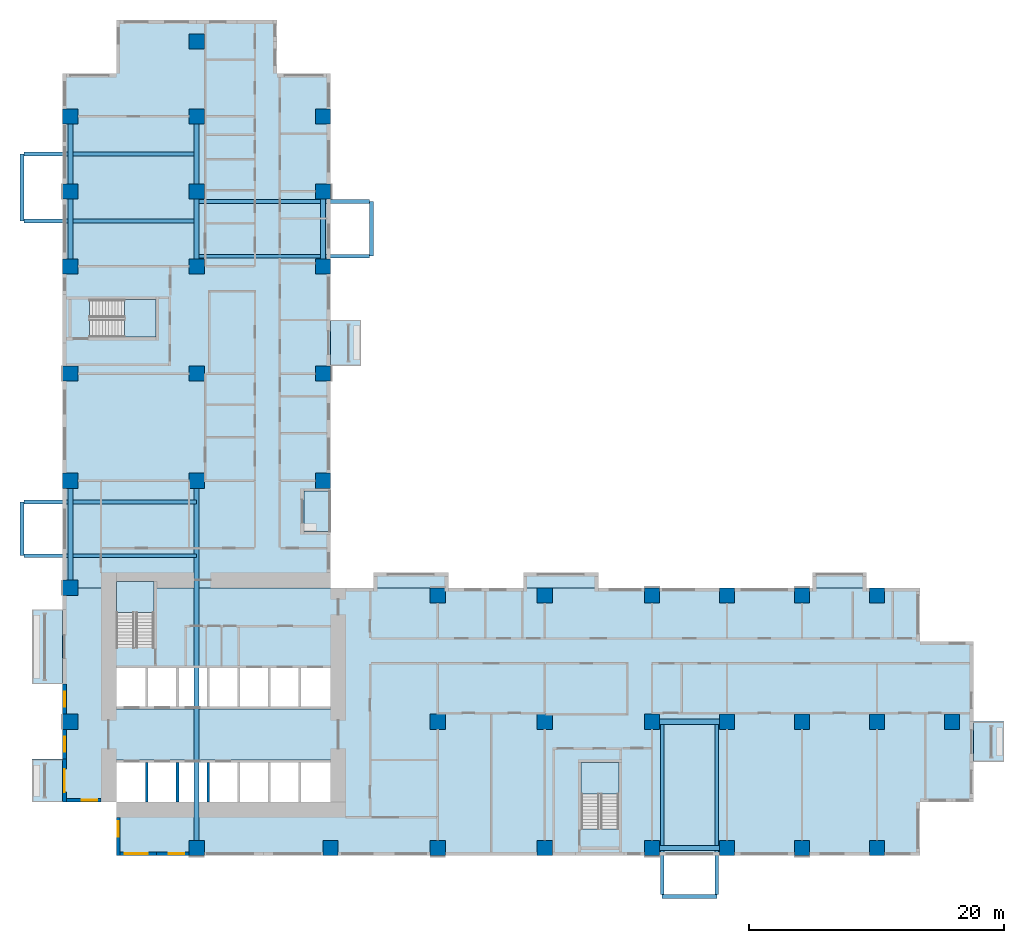
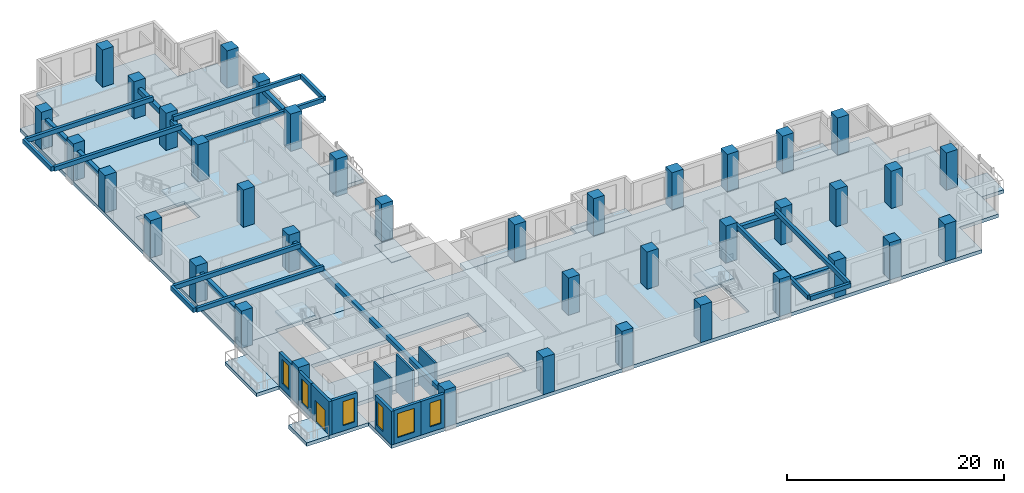
# One storey, part 1 of 14: 39 columns, 21 beams, 13 slabs, 10 walls, 6 windows, 1 door, 7 openings, 3 elements without a shape of their own.
"""IFC4 building model written with IfcOpenShell, lengths in metres."""

from ifc_helpers import new_model, si_unit, direction, frame, frame_2d, origin, origin_2d, place, context, subcontext, project, spatial, polyline, rectangle, outline, extrude, source, transform, mapped, material, layer, layer_set, material_profile, profile_set, type_object, element, fill, aggregate, save


model = new_model("IFC4")

# Units and contexts
model_context = context("Model", 3, precision=1e-05, world=origin(), true_north=direction((0.0, 1.0)))
body_context = subcontext(model_context, "Body", "Model", "MODEL_VIEW")
ifc_project = project(units=[si_unit("LENGTHUNIT", "METRE"), si_unit("AREAUNIT", "SQUARE_METRE"), si_unit("VOLUMEUNIT", "CUBIC_METRE"), si_unit("PLANEANGLEUNIT", "RADIAN"), si_unit("MASSUNIT", "GRAM", prefix="KILO")], contexts=[model_context])

# Site, building, storey
site_placement = place(None, origin())
site = spatial("IfcSite", under=ifc_project, at=site_placement, CompositionType="ELEMENT")
building_placement = place(site_placement, origin())
building = spatial("IfcBuilding", under=site, at=building_placement, Name="Aurelian Terraces", CompositionType="ELEMENT")
storey_placement = place(building_placement, frame((0.0, 0.0, 40.5)))
storey = spatial("IfcBuildingStorey", under=building, at=storey_placement, Name="L07", CompositionType="ELEMENT", Elevation=40.5)

# Columns
ifc_material_1 = material(Name="Concrete fc' 83 MPa", Category="concrete")
ifc_material_profile_1 = material_profile(ifc_material_1, rectangle(XDim=1.2, YDim=1.2, at=origin_2d()))
ifc_profile_set_1 = profile_set([ifc_material_profile_1], Name="Concrete fc' 83 MPa")
column_type = type_object("IfcColumnType", Name="RC COLUMN 1200X1200 FC83", PredefinedType="COLUMN", material=ifc_profile_set_1)
column_placement = place(storey_placement, frame((10.5, 0.6, 0.0), z_axis=(0.0, 0.0, 1.0), x_axis=(1.0, 0.0, 0.0)))
element("IfcColumn", 1, at=column_placement, inside=storey, type_object=column_type, Name="Column 2/A L07", PredefinedType="COLUMN", context=body_context, shape_type="SweptSolid", body=[
    extrude(rectangle(XDim=1.2, YDim=1.2, at=origin_2d()), origin(), (0.0, 0.0, 1.0), 4.2),
])
shared_shape_1 = source(origin(), body_context, "Body", "SweptSolid", [
    extrude(rectangle(XDim=1.2, YDim=1.2, at=origin_2d()), origin(), (0.0, 0.0, 1.0), 4.2),
])
for number, where, z_axis, x_axis, name in (
    (2, (21.0, 0.6, 0.0), (0.0, 0.0, 1.0), (1.0, 0.0, 0.0), "Column 3/A L07"),
    (3, (29.4, 0.6, 0.0), (0.0, 0.0, 1.0), (1.0, 0.0, 0.0), "Column 4/A L07"),
    (4, (37.8, 0.6, 0.0), (0.0, 0.0, 1.0), (1.0, 0.0, 0.0), "Column 5/A L07"),
    (5, (46.2, 0.6, 0.0), (0.0, 0.0, 1.0), (1.0, 0.0, 0.0), "Column 6/A L07"),
    (6, (52.08, 0.6, 0.0), (0.0, 0.0, 1.0), (1.0, 0.0, 0.0), "Column 7/A L07"),
    (7, (57.96, 0.6, 0.0), (0.0, 0.0, 1.0), (1.0, 0.0, 0.0), "Column 8/A L07"),
    (8, (63.84, 0.6, 0.0), (0.0, 0.0, 1.0), (1.0, 0.0, 0.0), "Column 9/A L07"),
    (9, (0.6, 10.5, 0.0), (0.0, 0.0, 1.0), (1.0, 0.0, 0.0), "Column 1/B L07"),
    (10, (29.4, 10.5, 0.0), (0.0, 0.0, 1.0), (1.0, 0.0, 0.0), "Column 4/B L07"),
    (11, (37.8, 10.5, 0.0), (0.0, 0.0, 1.0), (1.0, 0.0, 0.0), "Column 5/B L07"),
    (12, (46.2, 10.5, 0.0), (0.0, 0.0, 1.0), (1.0, 0.0, 0.0), "Column 6/B L07"),
    (13, (52.08, 10.5, 0.0), (0.0, 0.0, 1.0), (1.0, 0.0, 0.0), "Column 7/B L07"),
    (14, (57.96, 10.5, 0.0), (0.0, 0.0, 1.0), (1.0, 0.0, 0.0), "Column 8/B L07"),
    (15, (63.84, 10.5, 0.0), (0.0, 0.0, 1.0), (1.0, 0.0, 0.0), "Column 9/B L07"),
    (16, (69.72, 10.5, 0.0), (0.0, 0.0, 1.0), (1.0, 0.0, 0.0), "Column 10/B L07"),
    (17, (0.6, 21.0, 0.0), (0.0, 0.0, 1.0), (1.0, 0.0, 0.0), "Column 1/C L07"),
    (18, (29.4, 20.4, 0.0), (0.0, 0.0, 1.0), (1.0, 0.0, 0.0), "Column 4/C L07"),
    (19, (37.8, 20.4, 0.0), (0.0, 0.0, 1.0), (1.0, 0.0, 0.0), "Column 5/C L07"),
    (20, (46.2, 20.4, 0.0), (0.0, 0.0, 1.0), (1.0, 0.0, 0.0), "Column 6/C L07"),
    (21, (52.08, 20.4, 0.0), (0.0, 0.0, 1.0), (1.0, 0.0, 0.0), "Column 7/C L07"),
    (22, (57.96, 20.4, 0.0), (0.0, 0.0, 1.0), (1.0, 0.0, 0.0), "Column 8/C L07"),
    (23, (63.84, 20.4, 0.0), (0.0, 0.0, 1.0), (1.0, 0.0, 0.0), "Column 9/C L07"),
    (24, (0.6, 29.4, 0.0), (0.0, 0.0, 1.0), (1.0, 0.0, 0.0), "Column 1/D L07"),
    (25, (10.5, 29.4, 0.0), (0.0, 0.0, 1.0), (1.0, 0.0, 0.0), "Column 2/D L07"),
    (26, (20.4, 29.4, 0.0), (0.0, 0.0, 1.0), (1.0, 0.0, 0.0), "Column 3/D L07"),
    (27, (0.6, 37.8, 0.0), (0.0, 0.0, 1.0), (1.0, 0.0, 0.0), "Column 1/E L07"),
    (28, (10.5, 37.8, 0.0), (0.0, 0.0, 1.0), (1.0, 0.0, 0.0), "Column 2/E L07"),
    (29, (20.4, 37.8, 0.0), (0.0, 0.0, 1.0), (1.0, 0.0, 0.0), "Column 3/E L07"),
    (30, (0.6, 46.2, 0.0), (0.0, 0.0, 1.0), (1.0, 0.0, 0.0), "Column 1/F L07"),
    (31, (10.5, 46.2, 0.0), (0.0, 0.0, 1.0), (1.0, 0.0, 0.0), "Column 2/F L07"),
    (32, (20.4, 46.2, 0.0), (0.0, 0.0, 1.0), (1.0, 0.0, 0.0), "Column 3/F L07"),
    (33, (0.6, 52.08, 0.0), (0.0, 0.0, 1.0), (1.0, 0.0, 0.0), "Column 1/G L07"),
    (34, (10.5, 52.08, 0.0), (0.0, 0.0, 1.0), (1.0, 0.0, 0.0), "Column 2/G L07"),
    (35, (20.4, 52.08, 0.0), (0.0, 0.0, 1.0), (1.0, 0.0, 0.0), "Column 3/G L07"),
    (36, (0.6, 57.96, 0.0), (0.0, 0.0, 1.0), (1.0, 0.0, 0.0), "Column 1/H L07"),
    (37, (10.5, 57.96, 0.0), (0.0, 0.0, 1.0), (1.0, 0.0, 0.0), "Column 2/H L07"),
    (38, (20.4, 57.96, 0.0), (0.0, 0.0, 1.0), (1.0, 0.0, 0.0), "Column 3/H L07"),
    (39, (10.5, 63.84, 0.0), (0.0, 0.0, 1.0), (1.0, 0.0, 0.0), "Column 2/I L07"),
):
    element("IfcColumn", number, at=place(storey_placement, frame(where, z_axis=z_axis, x_axis=x_axis)), inside=storey, type_object=column_type, Name=name, PredefinedType="COLUMN", context=body_context, shape_type="MappedRepresentation", body=[
        mapped(shared_shape_1, transform((0.0, 0.0, 0.0), scale=1.0)),
    ])

# Beams
ifc_material_2 = material(Name="Concrete fc' 40 MPa", Category="concrete")
ifc_material_profile_2 = material_profile(ifc_material_2, rectangle(XDim=0.3, YDim=0.5, at=origin_2d()))
ifc_profile_set_2 = profile_set([ifc_material_profile_2], Name="Concrete fc' 40 MPa")
beam_type_1 = type_object("IfcBeamType", Name="CONCRETE CANTILEVER BEAM 300X500", PredefinedType="BEAM", material=ifc_profile_set_2)
beam_1_placement = place(storey_placement, frame((47.0, -3.05, 3.55), z_axis=(0.0, 1.0, 0.0), x_axis=(-1.0, 0.0, 0.0)))
element("IfcBeam", 40, at=beam_1_placement, inside=storey, type_object=beam_type_1, Name="Box cantilever beam J01.1", PredefinedType="BEAM", context=body_context, shape_type="SweptSolid", body=[
    extrude(rectangle(XDim=0.3, YDim=0.5, at=origin_2d()), origin(), (0.0, 0.0, 1.0), 13.55),
])
beam_2_placement = place(storey_placement, frame((47.0, -3.2, 3.55), z_axis=(1.0, 0.0, 0.0), x_axis=(0.0, 1.0, 0.0)))
element("IfcBeam", 41, at=beam_2_placement, inside=storey, type_object=beam_type_1, Name="Box tip beam J01", PredefinedType="BEAM", context=body_context, shape_type="SweptSolid", body=[
    extrude(rectangle(XDim=0.3, YDim=0.5, at=origin_2d()), origin(), (0.0, 0.0, 1.0), 4.28),
])
beam_3_placement = place(storey_placement, frame((-3.2, 23.52, 3.55), z_axis=(0.0, 1.0, 0.0), x_axis=(-1.0, 0.0, 0.0)))
element("IfcBeam", 42, at=beam_3_placement, inside=storey, type_object=beam_type_1, Name="Box tip beam J03", PredefinedType="BEAM", context=body_context, shape_type="SweptSolid", body=[
    extrude(rectangle(XDim=0.3, YDim=0.5, at=origin_2d()), origin(), (0.0, 0.0, 1.0), 4.2),
])
beam_4_placement = place(storey_placement, frame((-3.2, 49.77, 3.55), z_axis=(0.0, 1.0, 0.0), x_axis=(-1.0, 0.0, 0.0)))
element("IfcBeam", 43, at=beam_4_placement, inside=storey, type_object=beam_type_1, Name="Box tip beam J04", PredefinedType="BEAM", context=body_context, shape_type="SweptSolid", body=[
    extrude(rectangle(XDim=0.3, YDim=0.5, at=origin_2d()), origin(), (0.0, 0.0, 1.0), 5.25),
])
ifc_material_profile_3 = material_profile(ifc_material_2, rectangle(XDim=0.4, YDim=0.5, at=origin_2d()))
ifc_profile_set_3 = profile_set([ifc_material_profile_3], Name="Concrete fc' 40 MPa")
beam_type_2 = type_object("IfcBeamType", Name="CONCRETE EDGE GIRDER 400X500", PredefinedType="BEAM", material=ifc_profile_set_3)
beam_5_placement = place(storey_placement, frame((46.8, 0.6, 3.05), z_axis=(1.0, 0.0, 0.0), x_axis=(0.0, 1.0, 0.0)))
element("IfcBeam", 44, at=beam_5_placement, inside=storey, type_object=beam_type_2, Name="Box girder L07 O1", PredefinedType="BEAM", context=body_context, shape_type="SweptSolid", body=[
    extrude(rectangle(XDim=0.4, YDim=0.5, at=origin_2d()), origin(), (0.0, 0.0, 1.0), 4.68),
])
beam_6_placement = place(storey_placement, frame((0.6, 21.6, 3.05), z_axis=(0.0, 1.0, 0.0), x_axis=(-1.0, 0.0, 0.0)))
element("IfcBeam", 45, at=beam_6_placement, inside=storey, type_object=beam_type_2, Name="Box girder L07 O5", PredefinedType="BEAM", context=body_context, shape_type="SweptSolid", body=[
    extrude(rectangle(XDim=0.4, YDim=0.5, at=origin_2d()), origin(), (0.0, 0.0, 1.0), 7.2),
])
beam_7_placement = place(storey_placement, frame((10.5, 1.2, 3.05), z_axis=(0.0, 1.0, 0.0), x_axis=(-1.0, 0.0, 0.0)))
element("IfcBeam", 46, at=beam_7_placement, inside=storey, type_object=beam_type_2, Name="Box girder L07 I6", PredefinedType="BEAM", context=body_context, shape_type="SweptSolid", body=[
    extrude(rectangle(XDim=0.4, YDim=0.5, at=origin_2d()), origin(), (0.0, 0.0, 1.0), 27.6),
])
shared_shape_2 = source(origin(), body_context, "Body", "SweptSolid", [
    extrude(rectangle(XDim=0.4, YDim=0.5, at=origin_2d()), origin(), (0.0, 0.0, 1.0), 4.68),
])
for number, where, z_axis, x_axis, name in (
    (47, (46.8, 10.5, 3.05), (1.0, 0.0, 0.0), (0.0, 1.0, 0.0), "Box girder L07 I2"),
    (48, (20.4, 46.8, 3.05), (0.0, 1.0, 0.0), (-1.0, 0.0, 0.0), "Box girder L07 O3"),
    (49, (10.5, 46.8, 3.05), (0.0, 1.0, 0.0), (-1.0, 0.0, 0.0), "Box girder L07 I4"),
    (50, (0.6, 46.8, 3.05), (0.0, 1.0, 0.0), (-1.0, 0.0, 0.0), "Box girder L07 O7"),
    (51, (0.6, 52.68, 3.05), (0.0, 1.0, 0.0), (-1.0, 0.0, 0.0), "Box girder L07 O8"),
    (52, (10.5, 52.68, 3.05), (0.0, 1.0, 0.0), (-1.0, 0.0, 0.0), "Box girder L07 I9"),
):
    element("IfcBeam", number, at=place(storey_placement, frame(where, z_axis=z_axis, x_axis=x_axis)), inside=storey, type_object=beam_type_2, Name=name, PredefinedType="BEAM", context=body_context, shape_type="MappedRepresentation", body=[
        mapped(shared_shape_2, transform((0.0, 0.0, 0.0), scale=1.0)),
    ])
shared_shape_3 = source(origin(), body_context, "Body", "SweptSolid", [
    extrude(rectangle(XDim=0.3, YDim=0.5, at=origin_2d()), origin(), (0.0, 0.0, 1.0), 13.55),
])
for number, where, z_axis, x_axis, name in (
    (53, (51.28, -3.05, 3.55), (0.0, 1.0, 0.0), (-1.0, 0.0, 0.0), "Box cantilever beam J01.2"),
    (54, (24.05, 47.0, 3.55), (-1.0, 0.0, 0.0), (0.0, -1.0, 0.0), "Box cantilever beam J02.1"),
    (55, (24.05, 51.28, 3.55), (-1.0, 0.0, 0.0), (0.0, -1.0, 0.0), "Box cantilever beam J02.2"),
    (56, (-3.05, 23.52, 3.55), (1.0, 0.0, 0.0), (0.0, 1.0, 0.0), "Box cantilever beam J03.1"),
    (57, (-3.05, 27.72, 3.55), (1.0, 0.0, 0.0), (0.0, 1.0, 0.0), "Box cantilever beam J03.2"),
    (58, (-3.05, 49.77, 3.55), (1.0, 0.0, 0.0), (0.0, 1.0, 0.0), "Box cantilever beam J04.1"),
    (59, (-3.05, 55.02, 3.55), (1.0, 0.0, 0.0), (0.0, 1.0, 0.0), "Box cantilever beam J04.2"),
):
    element("IfcBeam", number, at=place(storey_placement, frame(where, z_axis=z_axis, x_axis=x_axis)), inside=storey, type_object=beam_type_1, Name=name, PredefinedType="BEAM", context=body_context, shape_type="MappedRepresentation", body=[
        mapped(shared_shape_3, transform((0.0, 0.0, 0.0), scale=1.0)),
    ])
shared_shape_4 = source(origin(), body_context, "Body", "SweptSolid", [
    extrude(rectangle(XDim=0.3, YDim=0.5, at=origin_2d()), origin(), (0.0, 0.0, 1.0), 4.28),
])
beam_8_placement = place(storey_placement, frame((24.2, 47.0, 3.55), z_axis=(0.0, 1.0, 0.0), x_axis=(-1.0, 0.0, 0.0)))
element("IfcBeam", 60, at=beam_8_placement, inside=storey, type_object=beam_type_1, Name="Box tip beam J02", PredefinedType="BEAM", context=body_context, shape_type="MappedRepresentation", body=[
    mapped(shared_shape_4, transform((0.0, 0.0, 0.0), scale=1.0)),
])

# Slabs
ifc_layer_1 = layer(ifc_material_2, 0.4)
ifc_layer_set_1 = layer_set([ifc_layer_1], Name="Balcony slab 400")
slab_type_1 = type_object("IfcSlabType", Name="Balcony slab 400", PredefinedType="NOTDEFINED", material=ifc_layer_set_1)
slab_1_placement = place(storey_placement, frame((0.0, 0.0, -0.4)))
element("IfcSlab", 61, at=slab_1_placement, inside=storey, type_object=slab_type_1, Name="Balcony slab L07 F04.16", PredefinedType="NOTDEFINED", context=body_context, shape_type="SweptSolid", body=[
    extrude(outline(polyline([(71.4, 7.35), (71.4, 10.5), (73.8, 10.5), (73.8, 7.35), (71.4, 7.35)])), origin(), (0.0, 0.0, 1.0), 0.4),
])
slab_2_placement = place(storey_placement, frame((0.0, 0.0, -0.4)))
element("IfcSlab", 62, at=slab_2_placement, inside=storey, type_object=slab_type_1, Name="Balcony slab L07 F08.31", PredefinedType="NOTDEFINED", context=body_context, shape_type="SweptSolid", body=[
    extrude(outline(polyline([(21.0, 38.4), (21.0, 42.0), (23.4, 42.0), (23.4, 38.4), (21.0, 38.4)])), origin(), (0.0, 0.0, 1.0), 0.4),
])
slab_3_placement = place(storey_placement, frame((0.0, 0.0, -0.4)))
element("IfcSlab", 63, at=slab_3_placement, inside=storey, type_object=slab_type_1, Name="Balcony slab L07 F14.45", PredefinedType="NOTDEFINED", context=body_context, shape_type="SweptSolid", body=[
    extrude(outline(polyline([(0.0, 19.32), (0.0, 13.44), (-2.4, 13.44), (-2.4, 19.32), (0.0, 19.32)])), origin(), (0.0, 0.0, 1.0), 0.4),
])
slab_4_placement = place(storey_placement, frame((0.0, 0.0, -0.4)))
element("IfcSlab", 64, at=slab_4_placement, inside=storey, type_object=slab_type_1, Name="Balcony slab L07 F14.47", PredefinedType="NOTDEFINED", context=body_context, shape_type="SweptSolid", body=[
    extrude(outline(polyline([(0.0, 7.56), (0.0, 4.2), (-2.4, 4.2), (-2.4, 7.56), (0.0, 7.56)])), origin(), (0.0, 0.0, 1.0), 0.4),
])
ifc_layer_2 = layer(ifc_material_2, 0.4)
ifc_layer_set_2 = layer_set([ifc_layer_2], Name="Bay floor 400")
slab_type_2 = type_object("IfcSlabType", Name="Bay floor 400", PredefinedType="NOTDEFINED", material=ifc_layer_set_2)
slab_5_placement = place(storey_placement, frame((0.0, 0.0, -0.4)))
element("IfcSlab", 65, at=slab_5_placement, inside=storey, type_object=slab_type_2, Name="Bay floor L07 F07.21", PredefinedType="NOTDEFINED", context=body_context, shape_type="SweptSolid", body=[
    extrude(outline(polyline([(63.0, 21.0), (58.8, 21.0), (58.8, 22.2), (63.0, 22.2), (63.0, 21.0)])), origin(), (0.0, 0.0, 1.0), 0.4),
])
slab_6_placement = place(storey_placement, frame((0.0, 0.0, -0.4)))
element("IfcSlab", 66, at=slab_6_placement, inside=storey, type_object=slab_type_2, Name="Bay floor L07 F07.24", PredefinedType="NOTDEFINED", context=body_context, shape_type="SweptSolid", body=[
    extrude(outline(polyline([(42.0, 21.0), (36.12, 21.0), (36.12, 22.2), (42.0, 22.2), (42.0, 21.0)])), origin(), (0.0, 0.0, 1.0), 0.4),
])
slab_7_placement = place(storey_placement, frame((0.0, 0.0, -0.4)))
element("IfcSlab", 67, at=slab_7_placement, inside=storey, type_object=slab_type_2, Name="Bay floor L07 F07.26", PredefinedType="NOTDEFINED", context=body_context, shape_type="SweptSolid", body=[
    extrude(outline(polyline([(30.24, 21.0), (24.36, 21.0), (24.36, 22.2), (30.24, 22.2), (30.24, 21.0)])), origin(), (0.0, 0.0, 1.0), 0.4),
])
ifc_material_3 = material(Name="Granite paving", Category="masonry")
ifc_layer_3 = layer(ifc_material_3, 0.05)
ifc_layer_set_3 = layer_set([ifc_layer_3], Name="Loggia paving 50")
slab_type_3 = type_object("IfcSlabType", Name="Loggia paving 50", PredefinedType="NOTDEFINED", material=ifc_layer_set_3)
slab_8_placement = place(storey_placement, origin())
element("IfcSlab", 68, at=slab_8_placement, inside=storey, type_object=slab_type_3, Name="Loggia floor L07 F08.29", PredefinedType="NOTDEFINED", context=body_context, shape_type="SweptSolid", body=[
    extrude(outline(polyline([(21.0, 25.4), (21.0, 28.6), (18.9, 28.6), (18.9, 25.4), (21.0, 25.4)])), origin(), (0.0, 0.0, 1.0), 0.05),
])
ifc_layer_4 = layer(ifc_material_2, 0.4)
ifc_layer_set_4 = layer_set([ifc_layer_4], Name="PT FLAT PLATE 400")
slab_type_4 = type_object("IfcSlabType", Name="PT FLAT PLATE 400", PredefinedType="FLOOR", material=ifc_layer_set_4)
slab_9_placement = place(storey_placement, frame((0.0, 0.0, -0.4)))
element("IfcSlab", 69, at=slab_9_placement, inside=storey, type_object=slab_type_4, Name="Floor slab S L07", PredefinedType="FLOOR", context=body_context, shape_type="SweptSolid", body=[
    extrude(outline(polyline([(67.2, 16.8), (71.4, 16.8), (71.4, 4.2), (67.2, 4.2), (67.2, 0.0), (21.0, 0.0), (4.2, 0.0), (4.2, 4.2), (0.0, 4.2), (0.0, 21.0), (4.21, 21.0), (4.21, 16.31), (7.14, 16.31), (7.14, 21.0), (21.0, 21.0), (67.2, 21.0), (67.2, 16.8)]), holes=[polyline([(40.66, 2.11), (43.59, 2.11), (43.59, 7.29), (40.66, 7.29), (40.66, 2.11)]), polyline([(4.21, 7.49), (4.21, 4.21), (20.99, 4.21), (20.99, 7.49), (4.21, 7.49)]), polyline([(4.21, 14.89), (4.21, 11.51), (20.99, 11.51), (20.99, 14.89), (4.21, 14.89)])]), origin(), (0.0, 0.0, 1.0), 0.4),
])
slab_10_placement = place(storey_placement, frame((0.0, 0.0, -0.4)))
element("IfcSlab", 70, at=slab_10_placement, inside=storey, type_object=slab_type_4, Name="Floor slab W L07", PredefinedType="FLOOR", context=body_context, shape_type="SweptSolid", body=[
    extrude(outline(polyline([(7.14, 21.0), (7.14, 21.49), (4.21, 21.49), (4.21, 21.0), (0.0, 21.0), (0.0, 61.32), (4.2, 61.32), (4.2, 65.52), (16.8, 65.52), (16.8, 61.32), (21.0, 61.32), (21.0, 21.0), (7.14, 21.0)]), holes=[polyline([(7.29, 43.59), (2.11, 43.59), (2.11, 40.66), (7.29, 40.66), (7.29, 43.59)])]), origin(), (0.0, 0.0, 1.0), 0.4),
])

# Stair, slab
stair_type = type_object("IfcStairType", Name="Stair 1400", PredefinedType="HALF_TURN_STAIR", material=ifc_material_2)
stair_1_placement = place(storey_placement, origin())
stair_1 = element("IfcStair", 71, at=stair_1_placement, inside=storey, type_object=stair_type, Name="L07 S1", PredefinedType="HALF_TURN_STAIR")
ifc_layer_5 = layer(ifc_material_2, 0.2)
ifc_layer_set_5 = layer_set([ifc_layer_5], Name="Stair landing 200")
slab_type_5 = type_object("IfcSlabType", Name="Stair landing 200", PredefinedType="LANDING", material=ifc_layer_set_5)
shared_shape_5 = source(origin(), body_context, "Body", "SweptSolid", [
    extrude(outline(polyline([(7.15, 19.05), (7.15, 21.5), (4.2, 21.5), (4.2, 19.05), (7.15, 19.05)])), origin(), (0.0, 0.0, 1.0), 0.2),
])
slab_11_placement = place(storey_placement, frame((0.0, 0.0, 1.9)))
slab_11 = element("IfcSlab", 72, at=slab_11_placement, type_object=slab_type_5, Name="S1 landing 1", PredefinedType="LANDING", context=body_context, shape_type="MappedRepresentation", body=[
    mapped(shared_shape_5, transform((0.0, 0.0, 0.0), scale=1.0)),
])
aggregate(stair_1, [slab_11])

stair_2_placement = place(storey_placement, origin())
stair_2 = element("IfcStair", 73, at=stair_2_placement, inside=storey, type_object=stair_type, Name="L07 S2", PredefinedType="HALF_TURN_STAIR")
shared_shape_6 = source(origin(), body_context, "Body", "SweptSolid", [
    extrude(outline(polyline([(43.6, 4.85), (43.6, 7.3), (40.65, 7.3), (40.65, 4.85), (43.6, 4.85)])), origin(), (0.0, 0.0, 1.0), 0.2),
])
slab_12_placement = place(storey_placement, frame((0.0, 0.0, 1.9)))
slab_12 = element("IfcSlab", 74, at=slab_12_placement, type_object=slab_type_5, Name="S2 landing 1", PredefinedType="LANDING", context=body_context, shape_type="MappedRepresentation", body=[
    mapped(shared_shape_6, transform((0.0, 0.0, 0.0), scale=1.0)),
])
aggregate(stair_2, [slab_12])

stair_3_placement = place(storey_placement, origin())
stair_3 = element("IfcStair", 75, at=stair_3_placement, inside=storey, type_object=stair_type, Name="L07 S3", PredefinedType="HALF_TURN_STAIR")
shared_shape_7 = source(origin(), body_context, "Body", "SweptSolid", [
    extrude(outline(polyline([(4.85, 40.65), (7.3, 40.65), (7.3, 43.6), (4.85, 43.6), (4.85, 40.65)])), origin(), (0.0, 0.0, 1.0), 0.2),
])
slab_13_placement = place(storey_placement, frame((0.0, 0.0, 1.9)))
slab_13 = element("IfcSlab", 76, at=slab_13_placement, type_object=slab_type_5, Name="S3 landing 1", PredefinedType="LANDING", context=body_context, shape_type="MappedRepresentation", body=[
    mapped(shared_shape_7, transform((0.0, 0.0, 0.0), scale=1.0)),
])
aggregate(stair_3, [slab_13])

# Wall, opening, window
ifc_material_4 = material(Name="Terracotta rainscreen cladding", Category="masonry")
ifc_layer_6 = layer(ifc_material_4, 0.3)
ifc_layer_set_6 = layer_set([ifc_layer_6], Name="EW-300")
wall_type_1 = type_object("IfcWallType", Name="EW-300", PredefinedType="STANDARD", material=ifc_layer_set_6)
wall_1_placement = place(storey_placement, frame((4.2, 0.15, 0.0), z_axis=(0.0, 0.0, 1.0), x_axis=(1.0, 0.0, 0.0)))
wall_1 = element("IfcWall", 77, at=wall_1_placement, inside=storey, type_object=wall_type_1, Name="External wall L07 F01.1", PredefinedType="STANDARD", context=body_context, shape_type="SweptSolid", body=[
    extrude(rectangle(XDim=3.15, YDim=0.3, at=frame_2d((1.575, 0.0))), origin(), (0.0, 0.0, 1.0), 3.8),
])
opening_1_placement = place(wall_1_placement, frame((0.675, 0.0, 0.6)))
opening_1 = element("IfcOpeningElement", 78, at=opening_1_placement, cuts=wall_1, Name="Opening W1827", PredefinedType="OPENING", context=body_context, shape_type="SweptSolid", body=[
    extrude(rectangle(XDim=1.8, YDim=2.7, at=frame_2d((0.9, 1.35))), frame((0.0, 0.16, 0.0), z_axis=(0.0, -1.0, 0.0), x_axis=(1.0, 0.0, 0.0)), (0.0, 0.0, 1.0), 0.32),
])
ifc_material_5 = material(Name="Clear glazing", Category="glass")
window_type_1 = type_object("IfcWindowType", Name="W-1800x2700", PartitioningType="SINGLE_PANEL", PredefinedType="WINDOW", material=ifc_material_5)
window_1_placement = place(opening_1_placement, origin())
window_1 = element("IfcWindow", 79, at=window_1_placement, inside=storey, type_object=window_type_1, Name="Window L07 L07-F01-01-0", OverallHeight=2.7, OverallWidth=1.8, PartitioningType="SINGLE_PANEL", PredefinedType="WINDOW", context=body_context, shape_type="SweptSolid", body=[
    extrude(rectangle(XDim=1.8, YDim=2.7, at=frame_2d((0.9, 1.35))), frame((0.0, 0.03, 0.0), z_axis=(0.0, -1.0, 0.0), x_axis=(1.0, 0.0, 0.0)), (0.0, 0.0, 1.0), 0.06),
])
fill(opening_1, window_1)

wall_2_placement = place(storey_placement, frame((7.35, 0.15, 0.0), z_axis=(0.0, 0.0, 1.0), x_axis=(1.0, 0.0, 0.0)))
wall_2 = element("IfcWall", 80, at=wall_2_placement, inside=storey, type_object=wall_type_1, Name="External wall L07 F01.2", PredefinedType="STANDARD", context=body_context, shape_type="SweptSolid", body=[
    extrude(rectangle(XDim=2.55, YDim=0.3, at=frame_2d((1.275, 0.0))), origin(), (0.0, 0.0, 1.0), 3.8),
])
opening_2_placement = place(wall_2_placement, frame((0.975, 0.0, 0.6)))
opening_2 = element("IfcOpeningElement", 81, at=opening_2_placement, cuts=wall_2, Name="Opening W1227", PredefinedType="OPENING", context=body_context, shape_type="SweptSolid", body=[
    extrude(rectangle(XDim=1.2, YDim=2.7, at=frame_2d((0.6, 1.35))), frame((0.0, 0.16, 0.0), z_axis=(0.0, -1.0, 0.0), x_axis=(1.0, 0.0, 0.0)), (0.0, 0.0, 1.0), 0.32),
])
window_type_2 = type_object("IfcWindowType", Name="W-1200x2700", PartitioningType="SINGLE_PANEL", PredefinedType="WINDOW", material=ifc_material_5)
window_2_placement = place(opening_2_placement, origin())
window_2 = element("IfcWindow", 82, at=window_2_placement, inside=storey, type_object=window_type_2, Name="Window L07 L07-F01-02-0", OverallHeight=2.7, OverallWidth=1.2, PartitioningType="SINGLE_PANEL", PredefinedType="WINDOW", context=body_context, shape_type="SweptSolid", body=[
    extrude(rectangle(XDim=1.2, YDim=2.7, at=frame_2d((0.6, 1.35))), frame((0.0, 0.03, 0.0), z_axis=(0.0, -1.0, 0.0), x_axis=(1.0, 0.0, 0.0)), (0.0, 0.0, 1.0), 0.06),
])
fill(opening_2, window_2)

wall_3_placement = place(storey_placement, frame((0.15, 13.44, 0.0), z_axis=(0.0, 0.0, 1.0), x_axis=(0.0, -1.0, 0.0)))
wall_3 = element("IfcWall", 83, at=wall_3_placement, inside=storey, type_object=wall_type_1, Name="External wall L07 F14.46", PredefinedType="STANDARD", context=body_context, shape_type="SweptSolid", body=[
    extrude(rectangle(XDim=2.34, YDim=0.3, at=frame_2d((1.17, 0.0))), origin(), (0.0, 0.0, 1.0), 3.8),
])
shared_shape_8 = source(origin(), body_context, "Body", "SweptSolid", [
    extrude(rectangle(XDim=1.2, YDim=2.7, at=frame_2d((0.6, 1.35))), frame((0.0, 0.16, 0.0), z_axis=(0.0, -1.0, 0.0), x_axis=(1.0, 0.0, 0.0)), (0.0, 0.0, 1.0), 0.32),
])
opening_3_placement = place(wall_3_placement, frame((0.57, 0.0, 0.6)))
opening_3 = element("IfcOpeningElement", 84, at=opening_3_placement, cuts=wall_3, Name="Opening W1227", PredefinedType="OPENING", context=body_context, shape_type="MappedRepresentation", body=[
    mapped(shared_shape_8, transform((0.0, 0.0, 0.0), scale=1.0)),
])
shared_shape_9 = source(origin(), body_context, "Body", "SweptSolid", [
    extrude(rectangle(XDim=1.2, YDim=2.7, at=frame_2d((0.6, 1.35))), frame((0.0, 0.03, 0.0), z_axis=(0.0, -1.0, 0.0), x_axis=(1.0, 0.0, 0.0)), (0.0, 0.0, 1.0), 0.06),
])
window_3_placement = place(opening_3_placement, origin())
window_3 = element("IfcWindow", 85, at=window_3_placement, inside=storey, type_object=window_type_2, Name="Window L07 L07-F14-46-P0", OverallHeight=2.7, OverallWidth=1.2, PartitioningType="SINGLE_PANEL", PredefinedType="WINDOW", context=body_context, shape_type="MappedRepresentation", body=[
    mapped(shared_shape_9, transform((0.0, 0.0, 0.0), scale=1.0)),
])
fill(opening_3, window_3)

# Wall, opening, door
wall_4_placement = place(storey_placement, frame((0.15, 7.56, 0.0), z_axis=(0.0, 0.0, 1.0), x_axis=(0.0, -1.0, 0.0)))
wall_4 = element("IfcWall", 86, at=wall_4_placement, inside=storey, type_object=wall_type_1, Name="External wall L07 F14.47", PredefinedType="STANDARD", context=body_context, shape_type="SweptSolid", body=[
    extrude(rectangle(XDim=3.36, YDim=0.3, at=frame_2d((1.68, 0.0))), origin(), (0.0, 0.0, 1.0), 3.8),
])
shared_shape_10 = source(origin(), body_context, "Body", "SweptSolid", [
    extrude(rectangle(XDim=1.8, YDim=2.4, at=frame_2d((0.9, 1.2))), frame((0.0, 0.16, 0.0), z_axis=(0.0, -1.0, 0.0), x_axis=(1.0, 0.0, 0.0)), (0.0, 0.0, 1.0), 0.32),
])
opening_4_placement = place(wall_4_placement, frame((0.78, 0.0, 0.0)))
opening_4 = element("IfcOpeningElement", 87, at=opening_4_placement, cuts=wall_4, Name="Opening 80705", PredefinedType="OPENING", context=body_context, shape_type="MappedRepresentation", body=[
    mapped(shared_shape_10, transform((0.0, 0.0, 0.0), scale=1.0)),
])
door_type = type_object("IfcDoorType", Name="BD-1800x2400", OperationType="SLIDING_TO_LEFT", PredefinedType="DOOR", material=ifc_material_5)
shared_shape_11 = source(origin(), body_context, "Body", "SweptSolid", [
    extrude(rectangle(XDim=1.8, YDim=2.4, at=frame_2d((0.9, 1.2))), frame((0.0, 0.025, 0.0), z_axis=(0.0, -1.0, 0.0), x_axis=(1.0, 0.0, 0.0)), (0.0, 0.0, 1.0), 0.05),
])
door_placement = place(opening_4_placement, origin())
door = element("IfcDoor", 88, at=door_placement, inside=storey, type_object=door_type, Name="Balcony door L07 F14.47", OperationType="SLIDING_TO_LEFT", OverallHeight=2.4, OverallWidth=1.8, PredefinedType="DOOR", context=body_context, shape_type="MappedRepresentation", body=[
    mapped(shared_shape_11, transform((0.0, 0.0, 0.0), scale=1.0)),
])
fill(opening_4, door)

# Wall
ifc_layer_7 = layer(ifc_material_2, 0.2)
ifc_layer_set_7 = layer_set([ifc_layer_7], Name="Lift shaft wall 200")
wall_type_2 = type_object("IfcWallType", Name="Lift shaft wall 200", PredefinedType="SOLIDWALL", material=ifc_layer_set_7)
wall_5_placement = place(storey_placement, frame((6.6, 4.2, 0.0), z_axis=(0.0, 0.0, 1.0), x_axis=(0.0, 1.0, 0.0)))
element("IfcWall", 89, at=wall_5_placement, inside=storey, type_object=wall_type_2, Name="L07 core wall CD-A1", PredefinedType="SOLIDWALL", context=body_context, shape_type="SweptSolid", body=[
    extrude(rectangle(XDim=3.1, YDim=0.2, at=frame_2d((1.55, 0.0))), origin(), (0.0, 0.0, 1.0), 4.2),
])

# Wall, opening, window
shared_shape_12 = source(origin(), body_context, "Body", "SweptSolid", [
    extrude(rectangle(XDim=2.34, YDim=0.3, at=frame_2d((1.17, 0.0))), origin(), (0.0, 0.0, 1.0), 3.8),
])
wall_6_placement = place(storey_placement, frame((0.15, 9.9, 0.0), z_axis=(0.0, 0.0, 1.0), x_axis=(0.0, -1.0, 0.0)))
wall_6 = element("IfcWall", 90, at=wall_6_placement, inside=storey, type_object=wall_type_1, Name="External wall L07 F14.46", PredefinedType="STANDARD", context=body_context, shape_type="MappedRepresentation", body=[
    mapped(shared_shape_12, transform((0.0, 0.0, 0.0), scale=1.0)),
])
opening_5_placement = place(wall_6_placement, frame((0.57, 0.0, 0.6)))
opening_5 = element("IfcOpeningElement", 91, at=opening_5_placement, cuts=wall_6, Name="Opening W1227", PredefinedType="OPENING", context=body_context, shape_type="MappedRepresentation", body=[
    mapped(shared_shape_8, transform((0.0, 0.0, 0.0), scale=1.0)),
])
window_4_placement = place(opening_5_placement, origin())
window_4 = element("IfcWindow", 92, at=window_4_placement, inside=storey, type_object=window_type_2, Name="Window L07 L07-F14-46-P1", OverallHeight=2.7, OverallWidth=1.2, PartitioningType="SINGLE_PANEL", PredefinedType="WINDOW", context=body_context, shape_type="MappedRepresentation", body=[
    mapped(shared_shape_9, transform((0.0, 0.0, 0.0), scale=1.0)),
])
fill(opening_5, window_4)

shared_shape_13 = source(origin(), body_context, "Body", "SweptSolid", [
    extrude(rectangle(XDim=3.0, YDim=0.3, at=frame_2d((1.5, 0.0))), origin(), (0.0, 0.0, 1.0), 3.8),
])
wall_7_placement = place(storey_placement, frame((0.0, 4.35, 0.0), z_axis=(0.0, 0.0, 1.0), x_axis=(1.0, 0.0, 0.0)))
wall_7 = element("IfcWall", 93, at=wall_7_placement, inside=storey, type_object=wall_type_1, Name="External wall L07 F15.48", PredefinedType="STANDARD", context=body_context, shape_type="MappedRepresentation", body=[
    mapped(shared_shape_13, transform((0.0, 0.0, 0.0), scale=1.0)),
])
opening_6_placement = place(wall_7_placement, frame((1.5, 0.0, 0.6)))
opening_6 = element("IfcOpeningElement", 94, at=opening_6_placement, cuts=wall_7, Name="Opening W1227", PredefinedType="OPENING", context=body_context, shape_type="MappedRepresentation", body=[
    mapped(shared_shape_8, transform((0.0, 0.0, 0.0), scale=1.0)),
])
window_5_placement = place(opening_6_placement, origin())
window_5 = element("IfcWindow", 95, at=window_5_placement, inside=storey, type_object=window_type_2, Name="Window L07 L07-F15-48-0", OverallHeight=2.7, OverallWidth=1.2, PartitioningType="SINGLE_PANEL", PredefinedType="WINDOW", context=body_context, shape_type="MappedRepresentation", body=[
    mapped(shared_shape_9, transform((0.0, 0.0, 0.0), scale=1.0)),
])
fill(opening_6, window_5)

wall_8_placement = place(storey_placement, frame((4.35, 3.0, 0.0), z_axis=(0.0, 0.0, 1.0), x_axis=(0.0, -1.0, 0.0)))
wall_8 = element("IfcWall", 96, at=wall_8_placement, inside=storey, type_object=wall_type_1, Name="External wall L07 F16.49", PredefinedType="STANDARD", context=body_context, shape_type="MappedRepresentation", body=[
    mapped(shared_shape_13, transform((0.0, 0.0, 0.0), scale=1.0)),
])
opening_7_placement = place(wall_8_placement, frame((0.3, 0.0, 0.6)))
opening_7 = element("IfcOpeningElement", 97, at=opening_7_placement, cuts=wall_8, Name="Opening W1227", PredefinedType="OPENING", context=body_context, shape_type="MappedRepresentation", body=[
    mapped(shared_shape_8, transform((0.0, 0.0, 0.0), scale=1.0)),
])
window_6_placement = place(opening_7_placement, origin())
window_6 = element("IfcWindow", 98, at=window_6_placement, inside=storey, type_object=window_type_2, Name="Window L07 L07-F16-49-0", OverallHeight=2.7, OverallWidth=1.2, PartitioningType="SINGLE_PANEL", PredefinedType="WINDOW", context=body_context, shape_type="MappedRepresentation", body=[
    mapped(shared_shape_9, transform((0.0, 0.0, 0.0), scale=1.0)),
])
fill(opening_7, window_6)

# Walls
shared_shape_14 = source(origin(), body_context, "Body", "SweptSolid", [
    extrude(rectangle(XDim=3.1, YDim=0.2, at=frame_2d((1.55, 0.0))), origin(), (0.0, 0.0, 1.0), 4.2),
])
for number, where, z_axis, x_axis, name in (
    (99, (9.0, 4.2, 0.0), (0.0, 0.0, 1.0), (0.0, 1.0, 0.0), "L07 core wall CD-A2"),
    (100, (11.4, 4.2, 0.0), (0.0, 0.0, 1.0), (0.0, 1.0, 0.0), "L07 core wall CD-A3"),
):
    element("IfcWall", number, at=place(storey_placement, frame(where, z_axis=z_axis, x_axis=x_axis)), inside=storey, type_object=wall_type_2, Name=name, PredefinedType="SOLIDWALL", context=body_context, shape_type="MappedRepresentation", body=[
        mapped(shared_shape_14, transform((0.0, 0.0, 0.0), scale=1.0)),
    ])

save(model, "model.ifc")
